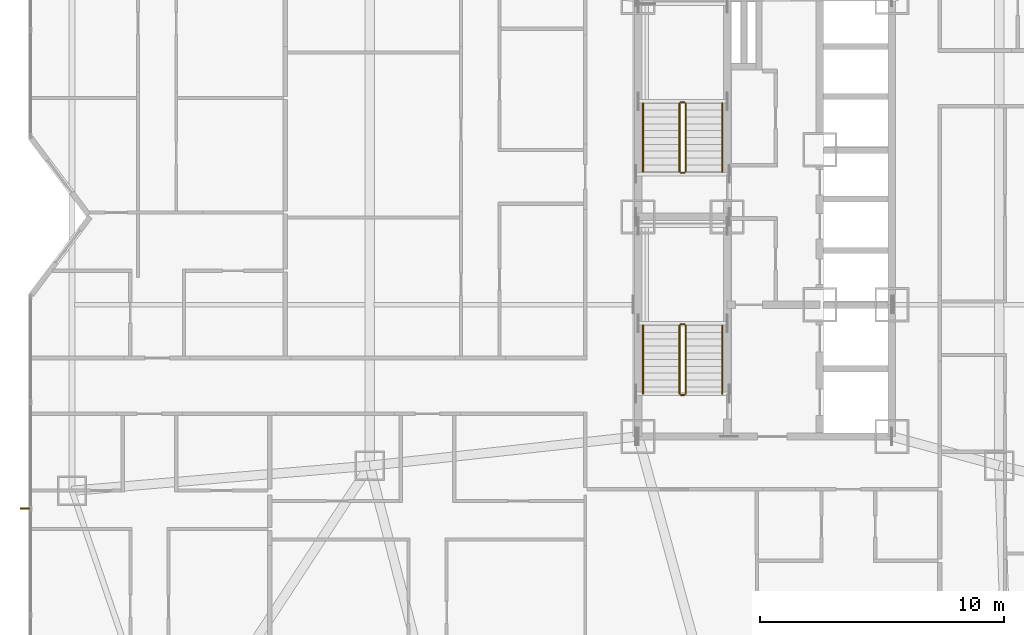
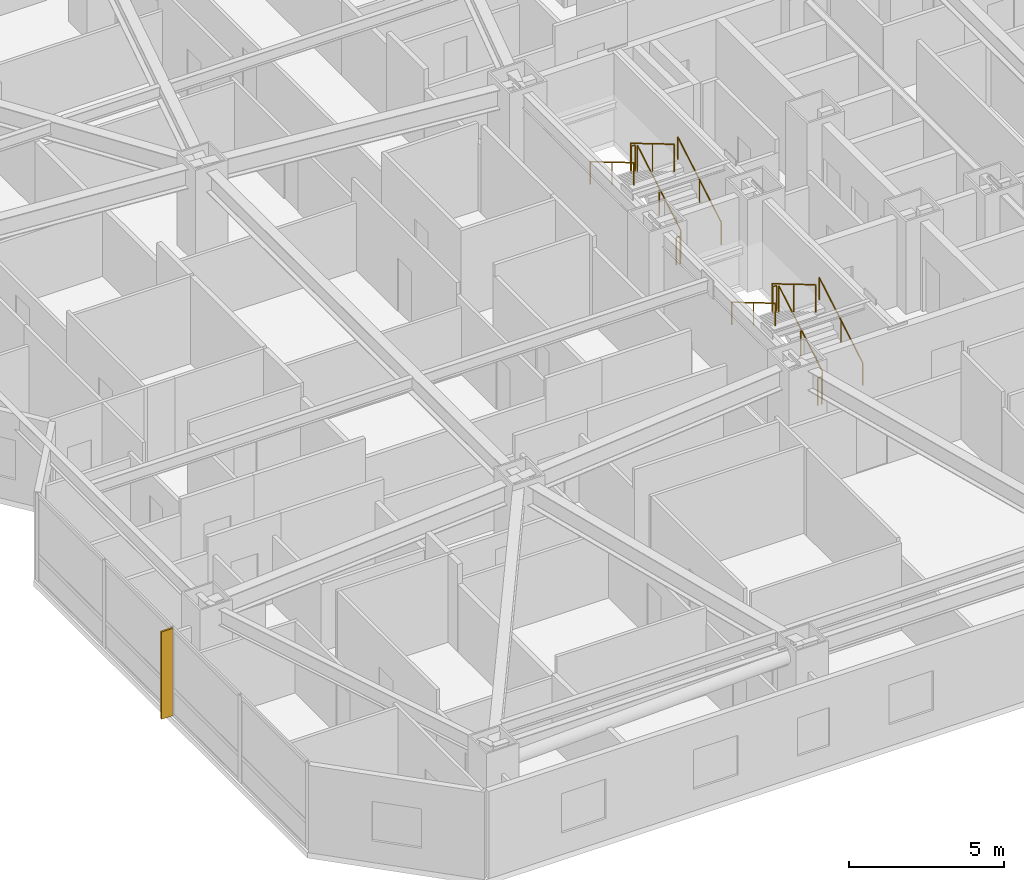
# One storey, part 24 of 25: 12 railings, 1 shading device.
"""IFC4 building model written with IfcOpenShell, lengths in metres."""

import ifcopenshell
import ifcopenshell.guid

model = None  # the IFC model being written
_history = None  # IfcOwnerHistory: only IFC2X3 demands one
_inside = {}  # id of a spatial element -> (the spatial element, [elements in it])
_under = {}  # id of a project, library or spatial element -> (it, [spatial elements below it])
_declared = {}  # id of a project -> (the project, [libraries it declares])
_typed = {}  # id of a type object -> (the type object, [elements of that type])
_made_of = {}  # id of a material, layer set ... -> (it, [elements and type objects made of it])


def new_model(schema):
    """Start an empty IFC model of exactly this schema.

    Asked for "IFC4X3", IfcOpenShell would pick the latest addendum, in which some entities
    have other attributes; the version numbers below select the first issue.
    IFC2X3 requires an IfcOwnerHistory on every rooted entity: one is made here for all.
    """
    global model, _history
    if schema == "IFC4X3":
        model = ifcopenshell.file(schema_version=(4, 3, 0, 0))
    else:
        model = ifcopenshell.file(schema=schema)
    _inside.clear()
    _under.clear()
    _declared.clear()
    _typed.clear()
    _made_of.clear()
    _history = None
    if model.schema == "IFC2X3":
        org = make("IfcOrganization", Name="unknown")
        user = make(
            "IfcPersonAndOrganization",
            ThePerson=make("IfcPerson", FamilyName="unknown"),
            TheOrganization=org,
        )
        app = make(
            "IfcApplication",
            ApplicationDeveloper=org,
            Version="unknown",
            ApplicationFullName="unknown",
            ApplicationIdentifier="unknown",
        )
        _history = make(
            "IfcOwnerHistory",
            OwningUser=user,
            OwningApplication=app,
            ChangeAction="ADDED",
            CreationDate=0,
        )
    return model


def make(cls, **values):
    """One entity of the class cls with the attributes given. An attribute that is None is left unset."""
    return model.create_entity(
        cls, **{name: value for name, value in values.items() if value is not None}
    )


def rooted(cls, **values):
    """An entity with a GlobalId (a new one), such as an element, a storey or a relation."""
    return make(cls, GlobalId=ifcopenshell.guid.new(), OwnerHistory=_history, **values)


def si_unit(unit_type, name, prefix=None):
    """IfcSIUnit, for example si_unit("LENGTHUNIT", "METRE", prefix="MILLI")."""
    return make("IfcSIUnit", UnitType=unit_type, Prefix=prefix, Name=name)


def assignment(units):
    """IfcUnitAssignment: the units of a project."""
    return None if units is None else make("IfcUnitAssignment", Units=units)


def point(xyz):
    """IfcCartesianPoint."""
    return None if xyz is None else make("IfcCartesianPoint", Coordinates=xyz)


def direction(xyz):
    """IfcDirection."""
    return None if xyz is None else make("IfcDirection", DirectionRatios=xyz)


def frame(location, z_axis=None, x_axis=None):
    """IfcAxis2Placement3D, a coordinate frame: its origin and axes. An axis left out is left unset."""
    return make(
        "IfcAxis2Placement3D",
        Location=point(location),
        Axis=direction(z_axis),
        RefDirection=direction(x_axis),
    )


def frame_2d(location, x_axis=None):
    """IfcAxis2Placement2D, a coordinate frame in the plane: its origin and x axis."""
    return make(
        "IfcAxis2Placement2D", Location=point(location), RefDirection=direction(x_axis)
    )


def origin():
    """The frame at (0, 0, 0) with its axes left unset."""
    return frame((0.0, 0.0, 0.0))


def origin_2d():
    """The frame at (0, 0) in the plane with its x axis left unset."""
    return frame_2d((0.0, 0.0))


def place(relative_to, where):
    """IfcLocalPlacement: puts the frame where relative to a parent placement (None: the world)."""
    return make(
        "IfcLocalPlacement", PlacementRelTo=relative_to, RelativePlacement=where
    )


def context(
    kind, dimensions, precision=None, world=None, true_north=None, identifier=None
):
    """IfcGeometricRepresentationContext, for example the 3D "Model" context."""
    return make(
        "IfcGeometricRepresentationContext",
        ContextIdentifier=identifier,
        ContextType=kind,
        CoordinateSpaceDimension=dimensions,
        Precision=precision,
        WorldCoordinateSystem=world,
        TrueNorth=true_north,
    )


def subcontext(parent, identifier, kind, view, scale=None):
    """IfcGeometricRepresentationSubContext, for example "Body" below "Model"."""
    return make(
        "IfcGeometricRepresentationSubContext",
        ContextIdentifier=identifier,
        ContextType=kind,
        ParentContext=parent,
        TargetScale=scale,
        TargetView=view,
    )


def project(units=None, contexts=None):
    """IfcProject with its units and contexts."""
    return rooted(
        "IfcProject",
        Name="project",
        RepresentationContexts=contexts,
        UnitsInContext=assignment(units),
    )


def spatial(cls, under=None, at=None, **own):
    """A site, building, storey or space (cls), placed at a placement, below another one or the project."""
    s = rooted(cls, ObjectPlacement=at, **own)
    if under is not None:
        _under.setdefault(under.id(), (under, []))[1].append(s)
    return s


def profile(cls, at=None, kind="AREA", **sizes):
    """A parametric profile (cls). Its sizes go by their IFC names, for example OverallWidth=200.0."""
    return make(cls, ProfileType=kind, Position=at, **sizes)


def rectangle(**sizes):
    """IfcRectangleProfileDef."""
    return profile("IfcRectangleProfileDef", **sizes)


def circle(**sizes):
    """IfcCircleProfileDef."""
    return profile("IfcCircleProfileDef", **sizes)


def extrude(swept, where, along, depth):
    """IfcExtrudedAreaSolid: the profile swept, set in the frame where, extruded along a direction by depth."""
    return make(
        "IfcExtrudedAreaSolid",
        SweptArea=swept,
        Position=where,
        ExtrudedDirection=direction(along),
        Depth=depth,
    )


def shape(context_of_items, identifier, shape_type, items):
    """IfcShapeRepresentation: the items that make up one representation, for example the "Body"."""
    return make(
        "IfcShapeRepresentation",
        ContextOfItems=context_of_items,
        RepresentationIdentifier=identifier,
        RepresentationType=shape_type,
        Items=items,
    )


def material(Name=None, Category=None):
    """IfcMaterial."""
    return make("IfcMaterial", Name=Name, Category=Category)


def made_of(thing, what):
    """Note that an element or type object is made of a material, layer set ...; save() writes the relation."""
    if what is not None:
        _made_of.setdefault(what.id(), (what, []))[1].append(thing)
    return thing


def type_object(cls, material=None, **own):
    """A type object (cls), such as IfcWallType, which elements share."""
    return made_of(rooted(cls, **own), material)


def element(
    cls,
    number,
    at=None,
    inside=None,
    cuts=None,
    type_object=None,
    material=None,
    context=None,
    identifier="Body",
    shape_type=None,
    held_by="IfcProductDefinitionShape",
    body=None,
    shapes=None,
    **own,
):
    """One element of the class cls, such as IfcWall. Its Tag is "e" and its number.

    at: its placement. inside: the storey or other place that contains it. cuts: it is an
    opening in that element (IfcRelVoidsElement). A single representation is given by context,
    identifier, shape_type and body (its items); several are given by shapes. held_by: the class
    of the entity that holds the representations. save() writes the other relations.
    """
    e = rooted(cls, Tag="e%d" % number, ObjectPlacement=at, **own)
    if body is not None:
        shapes = [shape(context, identifier, shape_type, body)]
    if shapes is not None:
        e.Representation = make(held_by, Representations=shapes)
    if inside is not None:
        _inside.setdefault(inside.id(), (inside, []))[1].append(e)
    if cuts is not None:
        rooted(
            "IfcRelVoidsElement", RelatingBuildingElement=cuts, RelatedOpeningElement=e
        )
    if type_object is not None:
        _typed.setdefault(type_object.id(), (type_object, []))[1].append(e)
    return made_of(e, material)


def aggregate(whole, parts):
    """IfcRelAggregates: a whole, such as a stair, and the parts it consists of."""
    return rooted("IfcRelAggregates", RelatingObject=whole, RelatedObjects=parts)


def save(model, path):
    """Write the relations noted so far, then the file.

    IfcRelAggregates (storeys below a building ...), IfcRelContainedInSpatialStructure (elements
    in a storey), IfcRelDefinesByType, IfcRelAssociatesMaterial and IfcRelDeclares: one each for
    every whole, place, type object, material and project.
    """
    for whole, parts in _under.values():
        aggregate(whole, parts)
    for where, things in _inside.values():
        rooted(
            "IfcRelContainedInSpatialStructure",
            RelatedElements=things,
            RelatingStructure=where,
        )
    for kind, things in _typed.values():
        rooted("IfcRelDefinesByType", RelatedObjects=things, RelatingType=kind)
    for what, things in _made_of.values():
        rooted("IfcRelAssociatesMaterial", RelatedObjects=things, RelatingMaterial=what)
    for by, libraries in _declared.values():
        rooted("IfcRelDeclares", RelatingContext=by, RelatedDefinitions=libraries)
    model.write(path)


model = new_model("IFC4")

# Units and contexts
model_context = context("Model", 3, precision=1e-05, world=origin(), true_north=direction((0.0, 1.0)))
body_context = subcontext(model_context, "Body", "Model", "MODEL_VIEW")
ifc_project = project(units=[si_unit("LENGTHUNIT", "METRE"), si_unit("AREAUNIT", "SQUARE_METRE"), si_unit("VOLUMEUNIT", "CUBIC_METRE"), si_unit("PLANEANGLEUNIT", "RADIAN"), si_unit("MASSUNIT", "GRAM", prefix="KILO")], contexts=[model_context])

# Site, building, storey
site_placement = place(None, origin())
site = spatial("IfcSite", under=ifc_project, at=site_placement, CompositionType="ELEMENT")
building_placement = place(site_placement, origin())
building = spatial("IfcBuilding", under=site, at=building_placement, Name="Khamvora Tower", CompositionType="ELEMENT")
storey_placement = place(building_placement, frame((0.0, 0.0, 36.949951171875)))
storey = spatial("IfcBuildingStorey", under=building, at=storey_placement, Name="L08", CompositionType="ELEMENT", Elevation=36.949951171875)

# Railings
ifc_material_1 = material(Name="Brushed Stainless Steel 316", Category="steel")
railing_type_1 = type_object("IfcRailingType", Name="RAL-HDR-920", PredefinedType="HANDRAIL", material=ifc_material_1)
railing_1_placement = place(storey_placement, frame((32.449951171875, 20.75, 0.166015625)))
element("IfcRailing", 1, at=railing_1_placement, inside=storey, type_object=railing_type_1, Name="L08 ST-01 stair handrail 1", PredefinedType="HANDRAIL", context=body_context, shape_type="SweptSolid", body=[
    extrude(circle(Radius=0.02392578125, at=origin_2d()), frame((0.0, 0.0, 0.8759765625), z_axis=(0.0, 0.860339051648, 0.50972219513), x_axis=(-1.0, 0.0, 0.0)), (0.0, 0.0, 1.0), 3.254638671875),
    extrude(circle(Radius=0.02099609375, at=origin_2d()), origin(), (0.0, 0.0, 1.0), 0.851806640625),
    extrude(circle(Radius=0.02099609375, at=origin_2d()), frame((0.0, 1.39990234375, 0.82958984375)), (0.0, 0.0, 1.0), 0.851806640625),
    extrude(circle(Radius=0.02099609375, at=origin_2d()), frame((0.0, 2.800048828125, 1.658935546875)), (0.0, 0.0, 1.0), 0.851806640625),
])
railing_2_placement = place(storey_placement, frame((29.199951171875, 23.550048828125, 1.990966796875)))
element("IfcRailing", 2, at=railing_2_placement, inside=storey, type_object=railing_type_1, Name="L08 ST-01 stair handrail 2", PredefinedType="HANDRAIL", context=body_context, shape_type="SweptSolid", body=[
    extrude(circle(Radius=0.02392578125, at=origin_2d()), frame((0.0, 0.0, 0.8759765625), z_axis=(0.0, -0.860306154799, 0.50977771628), x_axis=(1.0, 0.0, 0.0)), (0.0, 0.0, 1.0), 3.254638671875),
    extrude(circle(Radius=0.02099609375, at=origin_2d()), origin(), (0.0, 0.0, 1.0), 0.851806640625),
    extrude(circle(Radius=0.02099609375, at=origin_2d()), frame((0.0, -1.39990234375, 0.82958984375)), (0.0, 0.0, 1.0), 0.851806640625),
    extrude(circle(Radius=0.02099609375, at=origin_2d()), frame((0.0, -2.800048828125, 1.6591796875)), (0.0, 0.0, 1.0), 0.851806640625),
])
railing_3_placement = place(storey_placement, frame((32.449951171875, 29.85009765625, 0.166015625)))
element("IfcRailing", 3, at=railing_3_placement, inside=storey, type_object=railing_type_1, Name="L08 ST-02 stair handrail 1", PredefinedType="HANDRAIL", context=body_context, shape_type="SweptSolid", body=[
    extrude(circle(Radius=0.02392578125, at=origin_2d()), frame((0.0, 0.0, 0.8759765625), z_axis=(0.0, 0.860319559791, 0.509755093197), x_axis=(-1.0, 0.0, 0.0)), (0.0, 0.0, 1.0), 3.25439453125),
    extrude(circle(Radius=0.02099609375, at=origin_2d()), origin(), (0.0, 0.0, 1.0), 0.851806640625),
    extrude(circle(Radius=0.02099609375, at=origin_2d()), frame((0.0, 1.39990234375, 0.82958984375)), (0.0, 0.0, 1.0), 0.851806640625),
    extrude(circle(Radius=0.02099609375, at=origin_2d()), frame((0.0, 2.7998046875, 1.658935546875)), (0.0, 0.0, 1.0), 0.851806640625),
])
railing_4_placement = place(storey_placement, frame((29.199951171875, 32.64990234375, 1.990966796875)))
element("IfcRailing", 4, at=railing_4_placement, inside=storey, type_object=railing_type_1, Name="L08 ST-02 stair handrail 2", PredefinedType="HANDRAIL", context=body_context, shape_type="SweptSolid", body=[
    extrude(circle(Radius=0.02392578125, at=origin_2d()), frame((0.0, 0.0, 0.8759765625), z_axis=(0.0, -0.860286659441, 0.509810615413), x_axis=(1.0, 0.0, 0.0)), (0.0, 0.0, 1.0), 3.25439453125),
    extrude(circle(Radius=0.02099609375, at=origin_2d()), origin(), (0.0, 0.0, 1.0), 0.851806640625),
    extrude(circle(Radius=0.02099609375, at=origin_2d()), frame((0.0, -1.39990234375, 0.82958984375)), (0.0, 0.0, 1.0), 0.851806640625),
    extrude(circle(Radius=0.02099609375, at=origin_2d()), frame((0.0, -2.7998046875, 1.6591796875)), (0.0, 0.0, 1.0), 0.851806640625),
])
ifc_material_2 = material(Name="Stainless Steel 316", Category="steel")
railing_type_2 = type_object("IfcRailingType", Name="RAL-STG-1100", PredefinedType="GUARDRAIL", material=ifc_material_2)
railing_5_placement = place(storey_placement, frame((30.949951171875, 20.75, 0.166015625)))
element("IfcRailing", 5, at=railing_5_placement, inside=storey, type_object=railing_type_2, Name="L08 ST-01 stair guard 1", PredefinedType="GUARDRAIL", context=body_context, shape_type="SweptSolid", body=[
    extrude(circle(Radius=0.02392578125, at=origin_2d()), frame((0.0, 0.0, 1.076171875), z_axis=(0.0, 0.860339051648, 0.50972219513), x_axis=(-1.0, 0.0, 0.0)), (0.0, 0.0, 1.0), 3.254638671875),
    extrude(circle(Radius=0.02099609375, at=origin_2d()), origin(), (0.0, 0.0, 1.0), 1.052001953125),
    extrude(circle(Radius=0.02099609375, at=origin_2d()), frame((0.0, 1.39990234375, 0.82958984375)), (0.0, 0.0, 1.0), 1.052001953125),
    extrude(circle(Radius=0.02099609375, at=origin_2d()), frame((0.0, 2.800048828125, 1.658935546875)), (0.0, 0.0, 1.0), 1.052001953125),
])
railing_6_placement = place(storey_placement, frame((30.89990234375, 23.60009765625, 1.824951171875)))
element("IfcRailing", 6, at=railing_6_placement, inside=storey, type_object=railing_type_2, Name="L08 ST-01 stair guard 2", PredefinedType="GUARDRAIL", context=body_context, shape_type="SweptSolid", body=[
    extrude(circle(Radius=0.02392578125, at=origin_2d()), frame((0.0, 0.0, 1.076171875), z_axis=(-1.0, 0.0, 0.0), x_axis=(0.0, -1.0, 0.0)), (0.0, 0.0, 1.0), 0.14990234375),
    extrude(circle(Radius=0.02099609375, at=origin_2d()), origin(), (0.0, 0.0, 1.0), 1.052001953125),
    extrude(circle(Radius=0.02099609375, at=origin_2d()), frame((-0.14990234375, 0.0, 0.0)), (0.0, 0.0, 1.0), 1.052001953125),
])
railing_7_placement = place(storey_placement, frame((30.699951171875, 23.550048828125, 1.990966796875)))
element("IfcRailing", 7, at=railing_7_placement, inside=storey, type_object=railing_type_2, Name="L08 ST-01 stair guard 3", PredefinedType="GUARDRAIL", context=body_context, shape_type="SweptSolid", body=[
    extrude(circle(Radius=0.02392578125, at=origin_2d()), frame((0.0, 0.0, 1.076171875), z_axis=(0.0, -0.860306154799, 0.50977771628), x_axis=(1.0, 0.0, 0.0)), (0.0, 0.0, 1.0), 3.254638671875),
    extrude(circle(Radius=0.02099609375, at=origin_2d()), origin(), (0.0, 0.0, 1.0), 1.052001953125),
    extrude(circle(Radius=0.02099609375, at=origin_2d()), frame((0.0, -1.39990234375, 0.82958984375)), (0.0, 0.0, 1.0), 1.052001953125),
    extrude(circle(Radius=0.02099609375, at=origin_2d()), frame((0.0, -2.800048828125, 1.6591796875)), (0.0, 0.0, 1.0), 1.052001953125),
])
railing_8_placement = place(storey_placement, frame((30.89990234375, 20.699951171875, 0.0)))
element("IfcRailing", 8, at=railing_8_placement, inside=storey, type_object=railing_type_2, Name="L08 ST-01 stair guard 4", PredefinedType="GUARDRAIL", context=body_context, shape_type="SweptSolid", body=[
    extrude(circle(Radius=0.02392578125, at=origin_2d()), frame((0.0, 0.0, 1.076171875), z_axis=(-1.0, 0.0, 0.0), x_axis=(0.0, -1.0, 0.0)), (0.0, 0.0, 1.0), 0.14990234375),
    extrude(circle(Radius=0.02099609375, at=origin_2d()), origin(), (0.0, 0.0, 1.0), 1.052001953125),
    extrude(circle(Radius=0.02099609375, at=origin_2d()), frame((-0.14990234375, 0.0, 0.0)), (0.0, 0.0, 1.0), 1.052001953125),
])
railing_9_placement = place(storey_placement, frame((30.949951171875, 29.85009765625, 0.166015625)))
element("IfcRailing", 9, at=railing_9_placement, inside=storey, type_object=railing_type_2, Name="L08 ST-02 stair guard 1", PredefinedType="GUARDRAIL", context=body_context, shape_type="SweptSolid", body=[
    extrude(circle(Radius=0.02392578125, at=origin_2d()), frame((0.0, 0.0, 1.076171875), z_axis=(0.0, 0.860319559791, 0.509755093197), x_axis=(-1.0, 0.0, 0.0)), (0.0, 0.0, 1.0), 3.25439453125),
    extrude(circle(Radius=0.02099609375, at=origin_2d()), origin(), (0.0, 0.0, 1.0), 1.052001953125),
    extrude(circle(Radius=0.02099609375, at=origin_2d()), frame((0.0, 1.39990234375, 0.82958984375)), (0.0, 0.0, 1.0), 1.052001953125),
    extrude(circle(Radius=0.02099609375, at=origin_2d()), frame((0.0, 2.7998046875, 1.658935546875)), (0.0, 0.0, 1.0), 1.052001953125),
])
railing_10_placement = place(storey_placement, frame((30.89990234375, 32.699951171875, 1.824951171875)))
element("IfcRailing", 10, at=railing_10_placement, inside=storey, type_object=railing_type_2, Name="L08 ST-02 stair guard 2", PredefinedType="GUARDRAIL", context=body_context, shape_type="SweptSolid", body=[
    extrude(circle(Radius=0.02392578125, at=origin_2d()), frame((0.0, 0.0, 1.076171875), z_axis=(-1.0, 0.0, 0.0), x_axis=(0.0, -1.0, 0.0)), (0.0, 0.0, 1.0), 0.14990234375),
    extrude(circle(Radius=0.02099609375, at=origin_2d()), origin(), (0.0, 0.0, 1.0), 1.052001953125),
    extrude(circle(Radius=0.02099609375, at=origin_2d()), frame((-0.14990234375, 0.0, 0.0)), (0.0, 0.0, 1.0), 1.052001953125),
])
railing_11_placement = place(storey_placement, frame((30.699951171875, 32.64990234375, 1.990966796875)))
element("IfcRailing", 11, at=railing_11_placement, inside=storey, type_object=railing_type_2, Name="L08 ST-02 stair guard 3", PredefinedType="GUARDRAIL", context=body_context, shape_type="SweptSolid", body=[
    extrude(circle(Radius=0.02392578125, at=origin_2d()), frame((0.0, 0.0, 1.076171875), z_axis=(0.0, -0.860286659441, 0.509810615413), x_axis=(1.0, 0.0, 0.0)), (0.0, 0.0, 1.0), 3.25439453125),
    extrude(circle(Radius=0.02099609375, at=origin_2d()), origin(), (0.0, 0.0, 1.0), 1.052001953125),
    extrude(circle(Radius=0.02099609375, at=origin_2d()), frame((0.0, -1.39990234375, 0.82958984375)), (0.0, 0.0, 1.0), 1.052001953125),
    extrude(circle(Radius=0.02099609375, at=origin_2d()), frame((0.0, -2.7998046875, 1.6591796875)), (0.0, 0.0, 1.0), 1.052001953125),
])
railing_12_placement = place(storey_placement, frame((30.89990234375, 29.800048828125, 0.0)))
element("IfcRailing", 12, at=railing_12_placement, inside=storey, type_object=railing_type_2, Name="L08 ST-02 stair guard 4", PredefinedType="GUARDRAIL", context=body_context, shape_type="SweptSolid", body=[
    extrude(circle(Radius=0.02392578125, at=origin_2d()), frame((0.0, 0.0, 1.076171875), z_axis=(-1.0, 0.0, 0.0), x_axis=(0.0, -1.0, 0.0)), (0.0, 0.0, 1.0), 0.14990234375),
    extrude(circle(Radius=0.02099609375, at=origin_2d()), origin(), (0.0, 0.0, 1.0), 1.052001953125),
    extrude(circle(Radius=0.02099609375, at=origin_2d()), frame((-0.14990234375, 0.0, 0.0)), (0.0, 0.0, 1.0), 1.052001953125),
])

# Shading device
ifc_material_3 = material(Name="Anodised Bronze Aluminium 6063-T6", Category="aluminium")
shading_device_type = type_object("IfcShadingDeviceType", Name="SHD-FIN-420", PredefinedType="USERDEFINED", material=ifc_material_3)
shading_device_placement = place(storey_placement, frame((3.8798828125, 16.0400390625, 0.0), z_axis=(0.0, 0.0, 1.0), x_axis=(0.0, 1.0, 0.0)))
element("IfcShadingDevice", 13, at=shading_device_placement, inside=storey, type_object=shading_device_type, Name="L08 anodised bronze solar fin 02.01", ObjectType="FIN", PredefinedType="USERDEFINED", context=body_context, shape_type="SweptSolid", body=[
    extrude(rectangle(XDim=0.06005859375, YDim=0.419921875, at=origin_2d()), origin(), (0.0, 0.0, 1.0), 3.429931640625),
])

save(model, "model.ifc")
